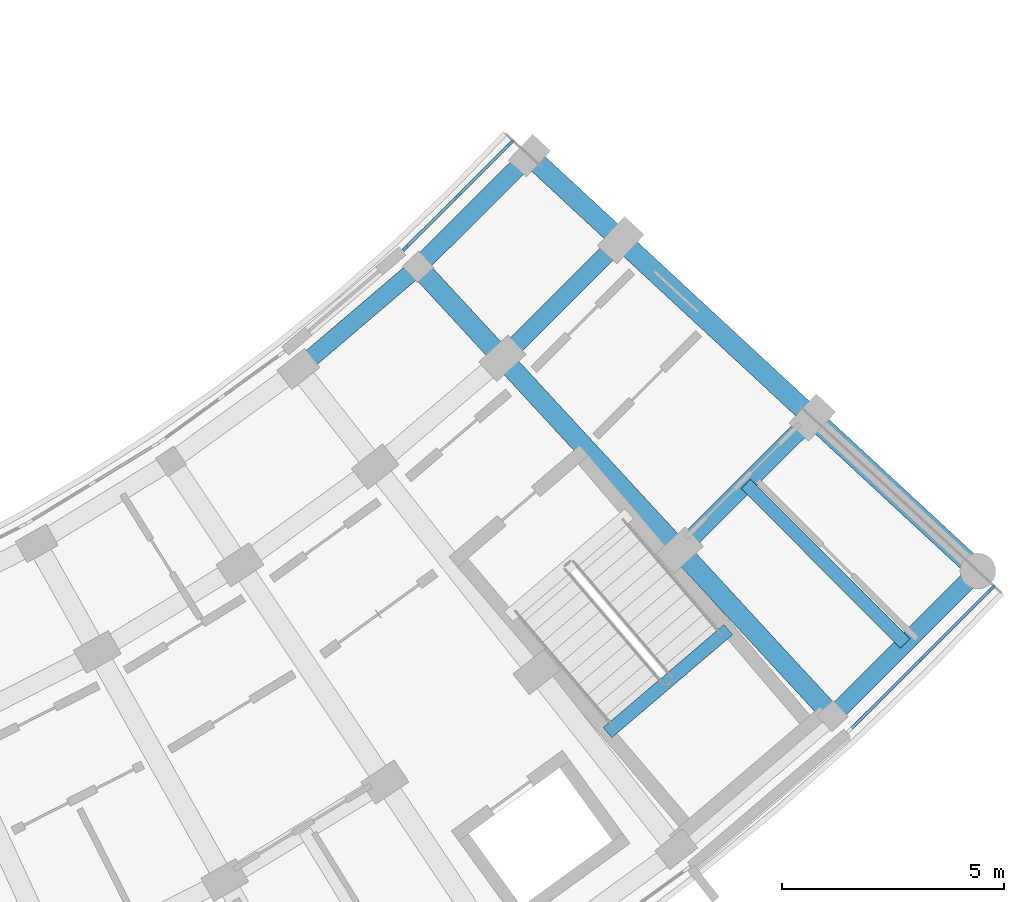
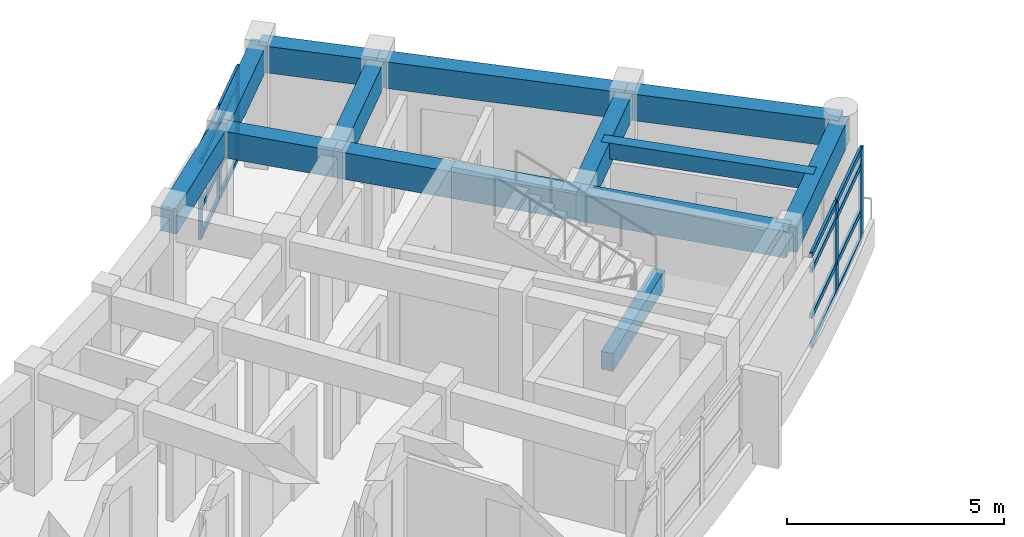
# One storey, part 40 of 83: 21 members, 13 beams, 2 elements without a shape of their own.
"""IFC4 building model written with IfcOpenShell, lengths in metres."""

from ifc_helpers import new_model, si_unit, direction, frame, origin, origin_2d, place, context, subcontext, project, spatial, rectangle, extrude, material, material_profile, profile_set, type_object, element, aggregate, save


model = new_model("IFC4")

# Units and contexts
model_context = context("Model", 3, precision=1e-05, world=origin(), true_north=direction((0.0, 1.0)))
body_context = subcontext(model_context, "Body", "Model", "MODEL_VIEW")
ifc_project = project(units=[si_unit("LENGTHUNIT", "METRE"), si_unit("AREAUNIT", "SQUARE_METRE"), si_unit("VOLUMEUNIT", "CUBIC_METRE"), si_unit("PLANEANGLEUNIT", "RADIAN"), si_unit("MASSUNIT", "GRAM", prefix="KILO")], contexts=[model_context])

# Site, building, storey
site_placement = place(None, origin())
site = spatial("IfcSite", under=ifc_project, at=site_placement, CompositionType="ELEMENT")
building_placement = place(site_placement, origin())
building = spatial("IfcBuilding", under=site, at=building_placement, Name="Zimvara Arc Housing Community", CompositionType="ELEMENT")
storey_placement = place(building_placement, frame((0.0, 0.0, 4.5)))
storey = spatial("IfcBuildingStorey", under=building, at=storey_placement, Name="L01", CompositionType="ELEMENT", Elevation=4.5)

# Beams
ifc_material_1 = material(Name="Concrete C40/50", Category="concrete")
ifc_material_profile_1 = material_profile(ifc_material_1, rectangle(XDim=0.300048828125, YDim=0.449951171875, at=origin_2d()), Name="RC 300x450")
ifc_profile_set_1 = profile_set([ifc_material_profile_1], Name="Concrete C40/50")
beam_type_1 = type_object("IfcBeamType", Name="BM-RC-300x450", PredefinedType="JOIST", material=ifc_profile_set_1)
beam_1_placement = place(storey_placement, frame((163.959716796875, 71.813720703125, 3.135009765625), z_axis=(0.706529394337, -0.707683696956, 0.0), x_axis=(0.707683696956, 0.706529394337, 0.0)))
element("IfcBeam", 1, at=beam_1_placement, inside=storey, type_object=beam_type_1, Name="bm:blkD:L01:joist:b9", PredefinedType="JOIST", context=body_context, shape_type="SweptSolid", body=[
    extrude(rectangle(XDim=0.300048828125, YDim=0.449951171875, at=origin_2d()), origin(), (0.0, 0.0, 1.0), 5.076171875),
])
ifc_material_2 = material(Name="Concrete C40/50", Category="concrete")
ifc_material_profile_2 = material_profile(ifc_material_2, rectangle(XDim=0.300048828125, YDim=0.5, at=origin_2d()), Name="RC 300x500")
ifc_profile_set_2 = profile_set([ifc_material_profile_2], Name="Concrete C40/50")
beam_type_2 = type_object("IfcBeamType", Name="BM-RC-300x500", PredefinedType="BEAM", material=ifc_profile_set_2)
beam_2_placement = place(storey_placement, frame((160.844482421875, 66.21533203125, 1.550048828125), z_axis=(0.760986863652, 0.648767287515, 0.0), x_axis=(-0.648767287515, 0.760986863652, 0.0)))
element("IfcBeam", 2, at=beam_2_placement, inside=storey, type_object=beam_type_2, Name="bm:stair_trim:ST-D2:L01:mid", PredefinedType="BEAM", context=body_context, shape_type="SweptSolid", body=[
    extrude(rectangle(XDim=0.300048828125, YDim=0.5, at=origin_2d()), origin(), (0.0, 0.0, 1.0), 3.570068359375),
])
ifc_material_3 = material(Name="Concrete C40/50", Category="concrete")
ifc_material_profile_3 = material_profile(ifc_material_3, rectangle(XDim=0.39990234375, YDim=0.699951171875, at=origin_2d()), Name="RC 400x700")
ifc_profile_set_3 = profile_set([ifc_material_profile_3], Name="Concrete C40/50")
beam_type_3 = type_object("IfcBeamType", Name="BM-RC-400x700", PredefinedType="BEAM", material=ifc_profile_set_3)
beam_3_placement = place(storey_placement, frame((153.882568359375, 74.402099609375, 3.010009765625), z_axis=(0.760971029961, 0.648785859556, 0.0), x_axis=(-0.648785859556, 0.760971029961, 0.0)))
element("IfcBeam", 3, at=beam_3_placement, inside=storey, type_object=beam_type_3, Name="bm:blkD:L01:chord:r0:b8", PredefinedType="BEAM", context=body_context, shape_type="SweptSolid", body=[
    extrude(rectangle(XDim=0.39990234375, YDim=0.699951171875, at=origin_2d()), origin(), (0.0, 0.0, 1.0), 3.54296875),
])
beam_4_placement = place(storey_placement, frame((156.57861328125, 76.70068359375, 3.010009765625), z_axis=(0.70772671761, 0.706486300773, 0.0), x_axis=(-0.706486300773, 0.70772671761, 0.0)))
element("IfcBeam", 4, at=beam_4_placement, inside=storey, type_object=beam_type_3, Name="bm:blkD:L01:chord:r0:b9", PredefinedType="BEAM", context=body_context, shape_type="SweptSolid", body=[
    extrude(rectangle(XDim=0.39990234375, YDim=0.699951171875, at=origin_2d()), origin(), (0.0, 0.0, 1.0), 3.542724609375),
])
beam_5_placement = place(storey_placement, frame((158.477294921875, 74.642822265625, 3.010009765625), z_axis=(0.707722882862, 0.706490142234, 0.0), x_axis=(-0.706490142234, 0.707722882862, 0.0)))
element("IfcBeam", 5, at=beam_5_placement, inside=storey, type_object=beam_type_3, Name="bm:blkD:L01:chord:r1:b9", PredefinedType="BEAM", context=body_context, shape_type="SweptSolid", body=[
    extrude(rectangle(XDim=0.39990234375, YDim=0.699951171875, at=origin_2d()), origin(), (0.0, 0.0, 1.0), 3.762939453125),
])
beam_6_placement = place(storey_placement, frame((162.465087890625, 70.321533203125, 3.010009765625), z_axis=(0.707684482516, 0.706528607493, 0.0), x_axis=(-0.706528607493, 0.707684482516, 0.0)))
element("IfcBeam", 6, at=beam_6_placement, inside=storey, type_object=beam_type_3, Name="bm:blkD:L01:chord:r2:b9", PredefinedType="BEAM", context=body_context, shape_type="SweptSolid", body=[
    extrude(rectangle(XDim=0.39990234375, YDim=0.699951171875, at=origin_2d()), origin(), (0.0, 0.0, 1.0), 4.224365234375),
])
beam_7_placement = place(storey_placement, frame((165.91015625, 66.588134765625, 3.010009765625), z_axis=(0.707713796096, 0.706499244738, 0.0), x_axis=(-0.706499244738, 0.707713796096, 0.0)))
element("IfcBeam", 7, at=beam_7_placement, inside=storey, type_object=beam_type_3, Name="bm:blkD:L01:chord:r3:b9", PredefinedType="BEAM", context=body_context, shape_type="SweptSolid", body=[
    extrude(rectangle(XDim=0.39990234375, YDim=0.699951171875, at=origin_2d()), origin(), (0.0, 0.0, 1.0), 4.623291015625),
])
ifc_material_4 = material(Name="Concrete C40/50", Category="concrete")
ifc_material_profile_4 = material_profile(ifc_material_4, rectangle(XDim=0.449951171875, YDim=0.75, at=origin_2d()), Name="RC 450x750")
ifc_profile_set_4 = profile_set([ifc_material_profile_4], Name="Concrete C40/50")
beam_type_4 = type_object("IfcBeamType", Name="BM-RC-450x750", PredefinedType="BEAM", material=ifc_profile_set_4)
beam_8_placement = place(storey_placement, frame((156.57861328125, 76.70068359375, 2.985107421875), z_axis=(0.678109874626, -0.734960541754, 0.0), x_axis=(0.734960541754, 0.678109874626, 0.0)))
element("IfcBeam", 8, at=beam_8_placement, inside=storey, type_object=beam_type_4, Name="bm:blkD:L01:rad:b9:r01", PredefinedType="BEAM", context=body_context, shape_type="SweptSolid", body=[
    extrude(rectangle(XDim=0.449951171875, YDim=0.75, at=origin_2d()), origin(), (0.0, 0.0, 1.0), 2.800048828125),
])
beam_9_placement = place(storey_placement, frame((158.477294921875, 74.642822265625, 2.985107421875), z_axis=(0.678180078146, -0.734895762409, 0.0), x_axis=(0.734895762409, 0.678180078146, 0.0)))
element("IfcBeam", 9, at=beam_9_placement, inside=storey, type_object=beam_type_4, Name="bm:blkD:L01:rad:b9:r12", PredefinedType="BEAM", context=body_context, shape_type="SweptSolid", body=[
    extrude(rectangle(XDim=0.449951171875, YDim=0.75, at=origin_2d()), origin(), (0.0, 0.0, 1.0), 5.880126953125),
])
beam_10_placement = place(storey_placement, frame((162.465087890625, 70.321533203125, 2.985107421875), z_axis=(0.678158334116, -0.734915827744, 0.0), x_axis=(0.734915827744, 0.678158334116, 0.0)))
element("IfcBeam", 10, at=beam_10_placement, inside=storey, type_object=beam_type_4, Name="bm:blkD:L01:rad:b9:r23", PredefinedType="BEAM", context=body_context, shape_type="SweptSolid", body=[
    extrude(rectangle(XDim=0.449951171875, YDim=0.75, at=origin_2d()), origin(), (0.0, 0.0, 1.0), 5.080078125),
])
beam_11_placement = place(storey_placement, frame((159.0859375, 79.20361328125, 2.985107421875), z_axis=(0.733746184278, -0.679423680083, 0.0), x_axis=(0.679423680083, 0.733746184278, 0.0)))
element("IfcBeam", 11, at=beam_11_placement, inside=storey, type_object=beam_type_4, Name="bm:blkD:L01:rad:b10:r01", PredefinedType="BEAM", context=body_context, shape_type="SweptSolid", body=[
    extrude(rectangle(XDim=0.449951171875, YDim=0.75, at=origin_2d()), origin(), (0.0, 0.0, 1.0), 2.800048828125),
])
beam_12_placement = place(storey_placement, frame((161.140380859375, 77.30126953125, 2.985107421875), z_axis=(0.733720040868, -0.679451912668, 0.0), x_axis=(0.679451912668, 0.733720040868, 0.0)))
element("IfcBeam", 12, at=beam_12_placement, inside=storey, type_object=beam_type_4, Name="bm:blkD:L01:rad:b10:r12", PredefinedType="BEAM", context=body_context, shape_type="SweptSolid", body=[
    extrude(rectangle(XDim=0.449951171875, YDim=0.75, at=origin_2d()), origin(), (0.0, 0.0, 1.0), 5.8798828125),
])
beam_13_placement = place(storey_placement, frame((165.45458984375, 73.30615234375, 2.985107421875), z_axis=(0.733737603291, -0.679432947035, 0.0), x_axis=(0.679432947035, 0.733737603291, 0.0)))
element("IfcBeam", 13, at=beam_13_placement, inside=storey, type_object=beam_type_4, Name="bm:blkD:L01:rad:b10:r23", PredefinedType="BEAM", context=body_context, shape_type="SweptSolid", body=[
    extrude(rectangle(XDim=0.449951171875, YDim=0.75, at=origin_2d()), origin(), (0.0, 0.0, 1.0), 5.080322265625),
])

# Curtain wall, members
ifc_material_5 = material(Name="Anodised Aluminium AW-6063", Category="aluminium")
curtain_wall_type_1 = type_object("IfcCurtainWallType", Name="CW-SYS-04", PredefinedType="USERDEFINED", material=ifc_material_5)
curtain_wall_1_placement = place(storey_placement, origin())
curtain_wall_1 = element("IfcCurtainWall", 14, at=curtain_wall_1_placement, inside=storey, type_object=curtain_wall_type_1, Name="cw:blkD:L01:in:b9", ObjectType="CURTAIN WALL", PredefinedType="USERDEFINED")
ifc_material_6 = material(Name="Anodised Aluminium AW-6063", Category="aluminium")
ifc_material_profile_5 = material_profile(ifc_material_6, rectangle(XDim=0.06494140625, YDim=0.179931640625, at=origin_2d()), Name="ALU 65x180")
ifc_profile_set_5 = profile_set([ifc_material_profile_5], Name="Anodised Aluminium AW-6063")
member_type_1 = type_object("IfcMemberType", Name="CWM-65x150", PredefinedType="MULLION", material=ifc_profile_set_5)
member_1_placement = place(storey_placement, frame((156.304931640625, 77.133544921875, 0.0), z_axis=(0.0, 0.0, 1.0), x_axis=(-0.706490294632, 0.707722730729, 0.0)))
member_1 = element("IfcMember", 15, at=member_1_placement, type_object=member_type_1, Name="CW04 mullion 1", PredefinedType="MULLION", context=body_context, shape_type="SweptSolid", body=[
    extrude(rectangle(XDim=0.06494140625, YDim=0.179931640625, at=origin_2d()), origin(), (0.0, 0.0, 1.0), 2.60009765625),
])
member_2_placement = place(storey_placement, frame((157.479248046875, 78.3056640625, 0.0), z_axis=(0.0, 0.0, 1.0), x_axis=(-0.706490294632, 0.707722730729, 0.0)))
member_2 = element("IfcMember", 16, at=member_2_placement, type_object=member_type_1, Name="CW04 mullion 2", PredefinedType="MULLION", context=body_context, shape_type="SweptSolid", body=[
    extrude(rectangle(XDim=0.06494140625, YDim=0.179931640625, at=origin_2d()), origin(), (0.0, 0.0, 1.0), 2.60009765625),
])
member_3_placement = place(storey_placement, frame((158.653564453125, 79.47802734375, 0.0), z_axis=(0.0, 0.0, 1.0), x_axis=(-0.706490294632, 0.707722730729, 0.0)))
member_3 = element("IfcMember", 17, at=member_3_placement, type_object=member_type_1, Name="CW04 mullion 3", PredefinedType="MULLION", context=body_context, shape_type="SweptSolid", body=[
    extrude(rectangle(XDim=0.06494140625, YDim=0.179931640625, at=origin_2d()), origin(), (0.0, 0.0, 1.0), 2.60009765625),
])

ifc_material_7 = material(Name="Anodised Aluminium AW-6063", Category="aluminium")
curtain_wall_type_2 = type_object("IfcCurtainWallType", Name="CW-SYS-03", PredefinedType="USERDEFINED", material=ifc_material_7)
curtain_wall_2_placement = place(storey_placement, origin())
curtain_wall_2 = element("IfcCurtainWall", 18, at=curtain_wall_2_placement, inside=storey, type_object=curtain_wall_type_2, Name="cw:blkD:L01:out:b9", ObjectType="CURTAIN WALL", PredefinedType="USERDEFINED")
ifc_material_8 = material(Name="Anodised Aluminium AW-6063", Category="aluminium")
ifc_material_profile_6 = material_profile(ifc_material_8, rectangle(XDim=0.06494140625, YDim=0.195068359375, at=origin_2d()), Name="ALU 65x195")
ifc_profile_set_6 = profile_set([ifc_material_profile_6], Name="Anodised Aluminium AW-6063")
member_type_2 = type_object("IfcMemberType", Name="CWM-65x180", PredefinedType="MULLION", material=ifc_profile_set_6)
member_4_placement = place(storey_placement, frame((167.89892578125, 67.86767578125, 0.0), z_axis=(0.0, 0.0, 1.0), x_axis=(-0.706489010891, 0.707724012233, 0.0)))
member_4 = element("IfcMember", 19, at=member_4_placement, type_object=member_type_2, Name="CW03 mullion 2", PredefinedType="MULLION", context=body_context, shape_type="SweptSolid", body=[
    extrude(rectangle(XDim=0.06494140625, YDim=0.195068359375, at=origin_2d()), origin(), (0.0, 0.0, 1.0), 2.60009765625),
])
member_5_placement = place(storey_placement, frame((169.4833984375, 69.449462890625, 0.0), z_axis=(0.0, 0.0, 1.0), x_axis=(-0.706489010891, 0.707724012233, 0.0)))
member_5 = element("IfcMember", 20, at=member_5_placement, type_object=member_type_2, Name="CW03 mullion 3", PredefinedType="MULLION", context=body_context, shape_type="SweptSolid", body=[
    extrude(rectangle(XDim=0.06494140625, YDim=0.195068359375, at=origin_2d()), origin(), (0.0, 0.0, 1.0), 2.60009765625),
])

# Member
ifc_material_9 = material(Name="Anodised Aluminium AW-6063", Category="aluminium")
ifc_material_profile_7 = material_profile(ifc_material_9, rectangle(XDim=0.06494140625, YDim=0.139892578125, at=origin_2d()), Name="ALU 65x140")
ifc_profile_set_7 = profile_set([ifc_material_profile_7], Name="Anodised Aluminium AW-6063")
member_type_3 = type_object("IfcMemberType", Name="CWT-65x120", PredefinedType="USERDEFINED", material=ifc_profile_set_7)
member_6_placement = place(storey_placement, frame((156.327880859375, 77.156494140625, 0.032470703125), z_axis=(0.707795558339, 0.706417332457, 0.0), x_axis=(-0.706417332457, 0.707795558339, 0.0)))
member_6 = element("IfcMember", 21, at=member_6_placement, type_object=member_type_3, Name="CW04 transom 1.1", ObjectType="TRANSOM", PredefinedType="USERDEFINED", context=body_context, shape_type="SweptSolid", body=[
    extrude(rectangle(XDim=0.06494140625, YDim=0.139892578125, at=origin_2d()), origin(), (0.0, 0.0, 1.0), 1.59423828125),
])

member_7_placement = place(storey_placement, frame((156.327880859375, 77.156494140625, 0.85009765625), z_axis=(0.707795558339, 0.706417332457, 0.0), x_axis=(-0.706417332457, 0.707795558339, 0.0)))
member_7 = element("IfcMember", 22, at=member_7_placement, type_object=member_type_3, Name="CW04 transom 1.2", ObjectType="TRANSOM", PredefinedType="USERDEFINED", context=body_context, shape_type="SweptSolid", body=[
    extrude(rectangle(XDim=0.06494140625, YDim=0.139892578125, at=origin_2d()), origin(), (0.0, 0.0, 1.0), 1.59423828125),
])

member_8_placement = place(storey_placement, frame((156.327880859375, 77.156494140625, 2.14990234375), z_axis=(0.707795558339, 0.706417332457, 0.0), x_axis=(-0.706417332457, 0.707795558339, 0.0)))
member_8 = element("IfcMember", 23, at=member_8_placement, type_object=member_type_3, Name="CW04 transom 1.3", ObjectType="TRANSOM", PredefinedType="USERDEFINED", context=body_context, shape_type="SweptSolid", body=[
    extrude(rectangle(XDim=0.06494140625, YDim=0.139892578125, at=origin_2d()), origin(), (0.0, 0.0, 1.0), 1.59423828125),
])

member_9_placement = place(storey_placement, frame((156.327880859375, 77.156494140625, 2.5673828125), z_axis=(0.707795558339, 0.706417332457, 0.0), x_axis=(-0.706417332457, 0.707795558339, 0.0)))
member_9 = element("IfcMember", 24, at=member_9_placement, type_object=member_type_3, Name="CW04 transom 1.4", ObjectType="TRANSOM", PredefinedType="USERDEFINED", context=body_context, shape_type="SweptSolid", body=[
    extrude(rectangle(XDim=0.06494140625, YDim=0.139892578125, at=origin_2d()), origin(), (0.0, 0.0, 1.0), 1.59423828125),
])

member_10_placement = place(storey_placement, frame((157.502197265625, 78.32861328125, 0.032470703125), z_axis=(0.707718994505, 0.706494037354, 0.0), x_axis=(-0.706494037354, 0.707718994505, 0.0)))
member_10 = element("IfcMember", 25, at=member_10_placement, type_object=member_type_3, Name="CW04 transom 2.1", ObjectType="TRANSOM", PredefinedType="USERDEFINED", context=body_context, shape_type="SweptSolid", body=[
    extrude(rectangle(XDim=0.06494140625, YDim=0.139892578125, at=origin_2d()), origin(), (0.0, 0.0, 1.0), 1.594482421875),
])

member_11_placement = place(storey_placement, frame((157.502197265625, 78.32861328125, 0.85009765625), z_axis=(0.707718994505, 0.706494037354, 0.0), x_axis=(-0.706494037354, 0.707718994505, 0.0)))
member_11 = element("IfcMember", 26, at=member_11_placement, type_object=member_type_3, Name="CW04 transom 2.2", ObjectType="TRANSOM", PredefinedType="USERDEFINED", context=body_context, shape_type="SweptSolid", body=[
    extrude(rectangle(XDim=0.06494140625, YDim=0.139892578125, at=origin_2d()), origin(), (0.0, 0.0, 1.0), 1.594482421875),
])

member_12_placement = place(storey_placement, frame((157.502197265625, 78.32861328125, 2.14990234375), z_axis=(0.707718994505, 0.706494037354, 0.0), x_axis=(-0.706494037354, 0.707718994505, 0.0)))
member_12 = element("IfcMember", 27, at=member_12_placement, type_object=member_type_3, Name="CW04 transom 2.3", ObjectType="TRANSOM", PredefinedType="USERDEFINED", context=body_context, shape_type="SweptSolid", body=[
    extrude(rectangle(XDim=0.06494140625, YDim=0.139892578125, at=origin_2d()), origin(), (0.0, 0.0, 1.0), 1.594482421875),
])

member_13_placement = place(storey_placement, frame((157.502197265625, 78.32861328125, 2.5673828125), z_axis=(0.707718994505, 0.706494037354, 0.0), x_axis=(-0.706494037354, 0.707718994505, 0.0)))
member_13 = element("IfcMember", 28, at=member_13_placement, type_object=member_type_3, Name="CW04 transom 2.4", ObjectType="TRANSOM", PredefinedType="USERDEFINED", context=body_context, shape_type="SweptSolid", body=[
    extrude(rectangle(XDim=0.06494140625, YDim=0.139892578125, at=origin_2d()), origin(), (0.0, 0.0, 1.0), 1.594482421875),
])

aggregate(curtain_wall_1, [member_1, member_2, member_3, member_6, member_7, member_8, member_9, member_10, member_11, member_12, member_13])

ifc_material_10 = material(Name="Anodised Aluminium AW-6063", Category="aluminium")
ifc_material_profile_8 = material_profile(ifc_material_10, rectangle(XDim=0.06494140625, YDim=0.155029296875, at=origin_2d()), Name="ALU 65x155")
ifc_profile_set_8 = profile_set([ifc_material_profile_8], Name="Anodised Aluminium AW-6063")
member_type_4 = type_object("IfcMemberType", Name="CWT-65x140", PredefinedType="USERDEFINED", material=ifc_profile_set_8)
member_14_placement = place(storey_placement, frame((166.337646484375, 66.30908203125, 0.032470703125), z_axis=(0.707724267801, 0.706488754875, 0.0), x_axis=(-0.706488754875, 0.707724267801, 0.0)))
member_14 = element("IfcMember", 29, at=member_14_placement, type_object=member_type_4, Name="CW03 transom 1.1", ObjectType="TRANSOM", PredefinedType="USERDEFINED", context=body_context, shape_type="SweptSolid", body=[
    extrude(rectangle(XDim=0.06494140625, YDim=0.155029296875, at=origin_2d()), origin(), (0.0, 0.0, 1.0), 2.173583984375),
])

member_15_placement = place(storey_placement, frame((166.337646484375, 66.30908203125, 0.85009765625), z_axis=(0.707724267801, 0.706488754875, 0.0), x_axis=(-0.706488754875, 0.707724267801, 0.0)))
member_15 = element("IfcMember", 30, at=member_15_placement, type_object=member_type_4, Name="CW03 transom 1.2", ObjectType="TRANSOM", PredefinedType="USERDEFINED", context=body_context, shape_type="SweptSolid", body=[
    extrude(rectangle(XDim=0.06494140625, YDim=0.155029296875, at=origin_2d()), origin(), (0.0, 0.0, 1.0), 2.173583984375),
])

member_16_placement = place(storey_placement, frame((166.337646484375, 66.30908203125, 2.14990234375), z_axis=(0.707724267801, 0.706488754875, 0.0), x_axis=(-0.706488754875, 0.707724267801, 0.0)))
member_16 = element("IfcMember", 31, at=member_16_placement, type_object=member_type_4, Name="CW03 transom 1.3", ObjectType="TRANSOM", PredefinedType="USERDEFINED", context=body_context, shape_type="SweptSolid", body=[
    extrude(rectangle(XDim=0.06494140625, YDim=0.155029296875, at=origin_2d()), origin(), (0.0, 0.0, 1.0), 2.173583984375),
])

member_17_placement = place(storey_placement, frame((166.337646484375, 66.30908203125, 2.5673828125), z_axis=(0.707724267801, 0.706488754875, 0.0), x_axis=(-0.706488754875, 0.707724267801, 0.0)))
member_17 = element("IfcMember", 32, at=member_17_placement, type_object=member_type_4, Name="CW03 transom 1.4", ObjectType="TRANSOM", PredefinedType="USERDEFINED", context=body_context, shape_type="SweptSolid", body=[
    extrude(rectangle(XDim=0.06494140625, YDim=0.155029296875, at=origin_2d()), origin(), (0.0, 0.0, 1.0), 2.173583984375),
])

member_18_placement = place(storey_placement, frame((167.922119140625, 67.890625, 0.032470703125), z_axis=(0.707668110429, 0.706545005985, 0.0), x_axis=(-0.706545005985, 0.707668110429, 0.0)))
member_18 = element("IfcMember", 33, at=member_18_placement, type_object=member_type_4, Name="CW03 transom 2.1", ObjectType="TRANSOM", PredefinedType="USERDEFINED", context=body_context, shape_type="SweptSolid", body=[
    extrude(rectangle(XDim=0.06494140625, YDim=0.155029296875, at=origin_2d()), origin(), (0.0, 0.0, 1.0), 2.173828125),
])

member_19_placement = place(storey_placement, frame((167.922119140625, 67.890625, 0.85009765625), z_axis=(0.707668110429, 0.706545005985, 0.0), x_axis=(-0.706545005985, 0.707668110429, 0.0)))
member_19 = element("IfcMember", 34, at=member_19_placement, type_object=member_type_4, Name="CW03 transom 2.2", ObjectType="TRANSOM", PredefinedType="USERDEFINED", context=body_context, shape_type="SweptSolid", body=[
    extrude(rectangle(XDim=0.06494140625, YDim=0.155029296875, at=origin_2d()), origin(), (0.0, 0.0, 1.0), 2.173828125),
])

member_20_placement = place(storey_placement, frame((167.922119140625, 67.890625, 2.14990234375), z_axis=(0.707668110429, 0.706545005985, 0.0), x_axis=(-0.706545005985, 0.707668110429, 0.0)))
member_20 = element("IfcMember", 35, at=member_20_placement, type_object=member_type_4, Name="CW03 transom 2.3", ObjectType="TRANSOM", PredefinedType="USERDEFINED", context=body_context, shape_type="SweptSolid", body=[
    extrude(rectangle(XDim=0.06494140625, YDim=0.155029296875, at=origin_2d()), origin(), (0.0, 0.0, 1.0), 2.173828125),
])

member_21_placement = place(storey_placement, frame((167.922119140625, 67.890625, 2.5673828125), z_axis=(0.707668110429, 0.706545005985, 0.0), x_axis=(-0.706545005985, 0.707668110429, 0.0)))
member_21 = element("IfcMember", 36, at=member_21_placement, type_object=member_type_4, Name="CW03 transom 2.4", ObjectType="TRANSOM", PredefinedType="USERDEFINED", context=body_context, shape_type="SweptSolid", body=[
    extrude(rectangle(XDim=0.06494140625, YDim=0.155029296875, at=origin_2d()), origin(), (0.0, 0.0, 1.0), 2.173828125),
])

aggregate(curtain_wall_2, [member_4, member_5, member_14, member_15, member_16, member_17, member_18, member_19, member_20, member_21])

save(model, "model.ifc")
